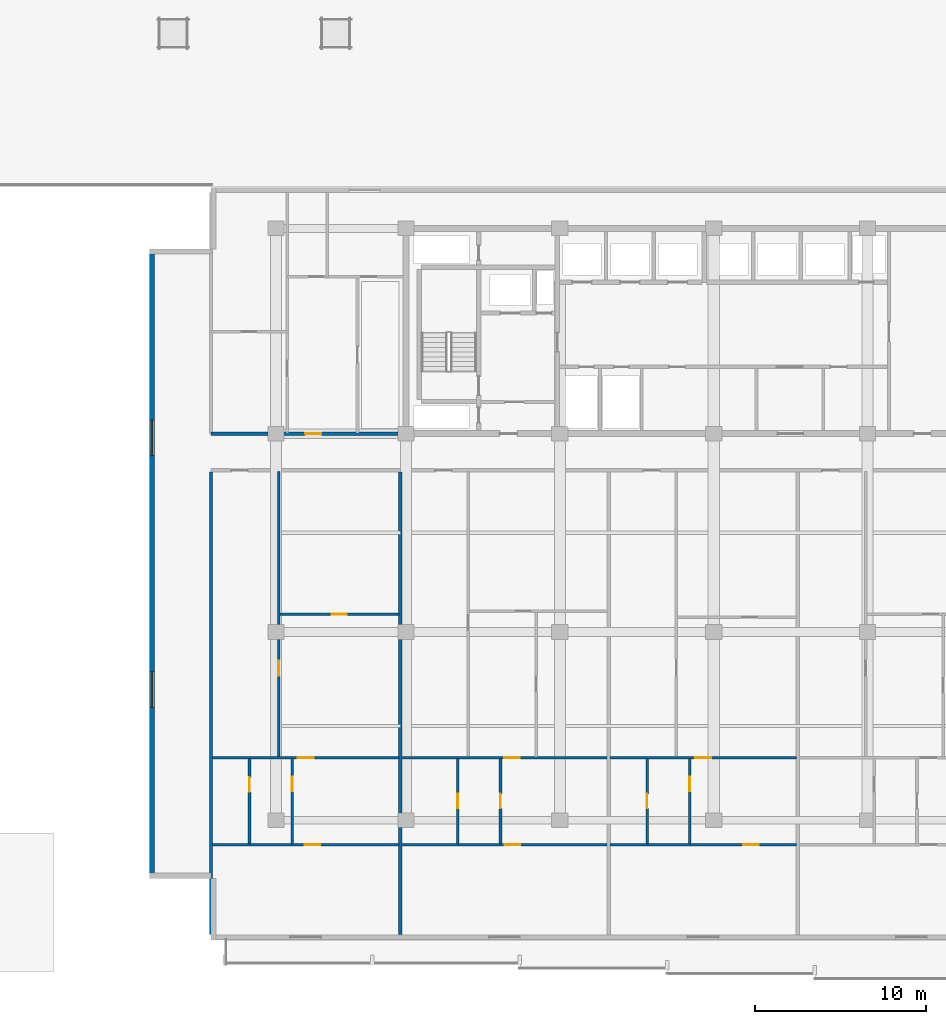
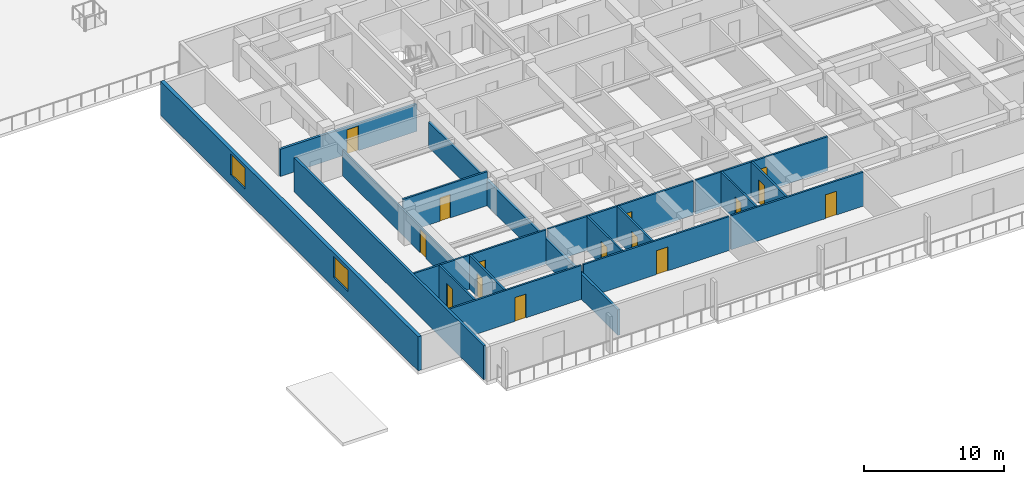
# One storey, part 4 of 24: 18 walls, 15 doors, 2 windows, 17 openings.
"""IFC4 building model written with IfcOpenShell, lengths in metres."""

from ifc_helpers import new_model, si_unit, direction, frame, frame_2d, origin, place, context, subcontext, project, spatial, rectangle, extrude, material, layer, layer_set, type_object, element, fill, save


model = new_model("IFC4")

# Units and contexts
model_context = context("Model", 3, precision=1e-05, world=origin(), true_north=direction((0.0, 1.0)))
body_context = subcontext(model_context, "Body", "Model", "MODEL_VIEW")
ifc_project = project(units=[si_unit("LENGTHUNIT", "METRE"), si_unit("AREAUNIT", "SQUARE_METRE"), si_unit("VOLUMEUNIT", "CUBIC_METRE"), si_unit("PLANEANGLEUNIT", "RADIAN"), si_unit("MASSUNIT", "GRAM", prefix="KILO")], contexts=[model_context])

# Site, building, storey
site_placement = place(None, origin())
site = spatial("IfcSite", under=ifc_project, at=site_placement, CompositionType="ELEMENT")
building_placement = place(site_placement, origin())
building = spatial("IfcBuilding", under=site, at=building_placement, Name="Korimba Cascade Residences", CompositionType="ELEMENT")
storey_placement = place(building_placement, frame((0.0, 0.0, 24.0)))
storey = spatial("IfcBuildingStorey", under=building, at=storey_placement, Name="L05", CompositionType="ELEMENT", Elevation=24.0)

# Wall, openings, windows
ifc_material_1 = material(Name="Precast concrete C40/50", Category="concrete")
ifc_layer_1 = layer(ifc_material_1, 0.300048828125)
ifc_layer_set_1 = layer_set([ifc_layer_1], Name="Precast concrete C40/50")
wall_type_1 = type_object("IfcWallType", Name="EW-STONE-300", PredefinedType="STANDARD", material=ifc_layer_set_1)
wall_1_placement = place(storey_placement, frame((67.25, 29.199951171875, 0.0), z_axis=(0.0, 0.0, 1.0), x_axis=(0.0, -1.0, 0.0)))
wall_1 = element("IfcWall", 1, at=wall_1_placement, inside=storey, type_object=wall_type_1, Name="L05 T2 Perimeter Stone Wall E09", PredefinedType="STANDARD", context=body_context, shape_type="SweptSolid", body=[
    extrude(rectangle(XDim=36.800048828125, YDim=0.300048828125, at=frame_2d((18.39990234375, 0.0))), origin(), (0.0, 0.0, 1.0), 2.969970703125),
])
opening_1_placement = place(wall_1_placement, frame((9.989990234375, 0.0, 0.85009765625)))
opening_1 = element("IfcOpeningElement", 2, at=opening_1_placement, cuts=wall_1, Name="Opening W-03", PredefinedType="OPENING", context=body_context, shape_type="SweptSolid", body=[
    extrude(rectangle(XDim=2.10009765625, YDim=1.85009765625, at=frame_2d((1.050048828125, 0.925048828125))), frame((0.0, 0.16015625, 0.0), z_axis=(0.0, -1.0, 0.0), x_axis=(1.0, 0.0, 0.0)), (0.0, 0.0, 1.0), 0.320068359375),
])
opening_2_placement = place(wall_1_placement, frame((24.7099609375, 0.0, 0.85009765625)))
opening_2 = element("IfcOpeningElement", 3, at=opening_2_placement, cuts=wall_1, Name="Opening W-03", PredefinedType="OPENING", context=body_context, shape_type="SweptSolid", body=[
    extrude(rectangle(XDim=2.10009765625, YDim=1.85009765625, at=frame_2d((1.050048828125, 0.925048828125))), frame((0.0, 0.16015625, 0.0), z_axis=(0.0, -1.0, 0.0), x_axis=(1.0, 0.0, 0.0)), (0.0, 0.0, 1.0), 0.320068359375),
])
ifc_material_2 = material(Name="Double-Glazed Aluminium Window", Category="aluminium")
window_type = type_object("IfcWindowType", Name="WIN-CRN-2100", PartitioningType="DOUBLE_PANEL_HORIZONTAL", PredefinedType="WINDOW", material=ifc_material_2)
window_1_placement = place(opening_1_placement, origin())
window_1 = element("IfcWindow", 4, at=window_1_placement, inside=storey, type_object=window_type, Name="L05 T2 End View Window 9.1", OverallHeight=1.85009765625, OverallWidth=2.10009765625, PartitioningType="DOUBLE_PANEL_HORIZONTAL", PredefinedType="WINDOW", context=body_context, shape_type="SweptSolid", body=[
    extrude(rectangle(XDim=2.10009765625, YDim=1.85009765625, at=frame_2d((1.050048828125, 0.925048828125))), frame((0.0, 0.030029296875, 0.0), z_axis=(0.0, -1.0, 0.0), x_axis=(1.0, 0.0, 0.0)), (0.0, 0.0, 1.0), 0.06005859375),
])
fill(opening_1, window_1)
window_2_placement = place(opening_2_placement, origin())
window_2 = element("IfcWindow", 5, at=window_2_placement, inside=storey, type_object=window_type, Name="L05 T2 End View Window 9.2", OverallHeight=1.85009765625, OverallWidth=2.10009765625, PartitioningType="DOUBLE_PANEL_HORIZONTAL", PredefinedType="WINDOW", context=body_context, shape_type="SweptSolid", body=[
    extrude(rectangle(XDim=2.10009765625, YDim=1.85009765625, at=frame_2d((1.050048828125, 0.925048828125))), frame((0.0, 0.030029296875, 0.0), z_axis=(0.0, -1.0, 0.0), x_axis=(1.0, 0.0, 0.0)), (0.0, 0.0, 1.0), 0.06005859375),
])
fill(opening_2, window_2)

# Wall, opening, door
ifc_layer_2 = layer(ifc_material_1, 0.199951171875)
ifc_layer_set_2 = layer_set([ifc_layer_2], Name="Precast concrete C40/50")
wall_type_2 = type_object("IfcWallType", Name="WAL-IT-200", PredefinedType="PARTITIONING", material=ifc_layer_set_2)
wall_2_placement = place(storey_placement, frame((70.699951171875, 18.39990234375, 0.0), z_axis=(0.0, 0.0, 1.0), x_axis=(1.0, 0.0, 0.0)))
wall_2 = element("IfcWall", 6, at=wall_2_placement, inside=storey, type_object=wall_type_2, Name="L05 Partition Wall WAL-L05-T2-FW-S", PredefinedType="PARTITIONING", context=body_context, shape_type="SweptSolid", body=[
    extrude(rectangle(XDim=11.25, YDim=0.199951171875, at=frame_2d((5.625, 0.0))), origin(), (0.0, 0.0, 1.0), 2.3701171875),
])
opening_3_placement = place(wall_2_placement, frame((5.50634765625, 0.0, 0.0)))
opening_3 = element("IfcOpeningElement", 7, at=opening_3_placement, cuts=wall_2, Name="Opening D-UN1", PredefinedType="OPENING", context=body_context, shape_type="SweptSolid", body=[
    extrude(rectangle(XDim=0.949951171875, YDim=2.14990234375, at=frame_2d((0.47509765625, 1.074951171875))), frame((0.0, 0.10986328125, 0.0), z_axis=(0.0, -1.0, 0.0), x_axis=(1.0, 0.0, 0.0)), (0.0, 0.0, 1.0), 0.219970703125),
])
ifc_material_3 = material(Name="Fire-Rated Hardwood Apartment Entrance Door", Category="wood")
door_type_1 = type_object("IfcDoorType", Name="DR-FD60-950", OperationType="NOTDEFINED", PredefinedType="DOOR", material=ifc_material_3)
door_1_placement = place(opening_3_placement, origin())
door_1 = element("IfcDoor", 8, at=door_1_placement, inside=storey, type_object=door_type_1, Name="L05-T2-FW Entrance Door", OperationType="SINGLE_SWING_LEFT", OverallHeight=2.14990234375, OverallWidth=0.949951171875, PredefinedType="DOOR", context=body_context, shape_type="SweptSolid", body=[
    extrude(rectangle(XDim=0.949951171875, YDim=2.14990234375, at=frame_2d((0.47509765625, 1.074951171875))), frame((0.0, 0.02490234375, 0.0), z_axis=(0.0, -1.0, 0.0), x_axis=(1.0, 0.0, 0.0)), (0.0, 0.0, 1.0), 0.050048828125),
])
fill(opening_3, door_1)

# Walls
wall_3_placement = place(storey_placement, frame((70.699951171875, -10.89990234375, 0.0), z_axis=(0.0, 0.0, 1.0), x_axis=(0.0, 1.0, 0.0)))
element("IfcWall", 9, at=wall_3_placement, inside=storey, type_object=wall_type_2, Name="L05 Partition Wall WAL-L05-T2-BNDWL", PredefinedType="PARTITIONING", context=body_context, shape_type="SweptSolid", body=[
    extrude(rectangle(XDim=27.06982421875, YDim=0.199951171875, at=frame_2d((13.534912109375, 0.0))), origin(), (0.0, 0.0, 1.0), 2.969970703125),
])
wall_4_placement = place(storey_placement, frame((81.771484375, -10.89990234375, 0.0), z_axis=(0.0, 0.0, 1.0), x_axis=(0.0, 1.0, 0.0)))
element("IfcWall", 10, at=wall_4_placement, inside=storey, type_object=wall_type_2, Name="L05 Partition Wall WAL-L05-T2-DEM-1", PredefinedType="PARTITIONING", context=body_context, shape_type="SweptSolid", body=[
    extrude(rectangle(XDim=27.06982421875, YDim=0.199951171875, at=frame_2d((13.534912109375, 0.0))), origin(), (0.0, 0.0, 1.0), 2.219970703125),
])

# Wall, opening, door
ifc_material_4 = material(Name="Insulated Acoustic Stud Partition", Category="gypsum")
ifc_layer_3 = layer(ifc_material_4, 0.14990234375)
ifc_layer_set_3 = layer_set([ifc_layer_3], Name="Insulated Acoustic Stud Partition")
wall_type_3 = type_object("IfcWallType", Name="WAL-PART-150", PredefinedType="PARTITIONING", material=ifc_layer_set_3)
wall_5_placement = place(storey_placement, frame((74.72998046875, 7.840087890625, 0.0), z_axis=(0.0, 0.0, 1.0), x_axis=(1.0, 0.0, 0.0)))
wall_5 = element("IfcWall", 11, at=wall_5_placement, inside=storey, type_object=wall_type_3, Name="L05 Partition Wall WAL-L05-T2-U01-FMH", PredefinedType="PARTITIONING", context=body_context, shape_type="SweptSolid", body=[
    extrude(rectangle(XDim=6.96142578125, YDim=0.14990234375, at=frame_2d((3.480712890625, 0.0))), origin(), (0.0, 0.0, 1.0), 2.969970703125),
])
opening_4_placement = place(wall_5_placement, frame((3.040771484375, 0.0, 0.0)))
opening_4 = element("IfcOpeningElement", 12, at=opening_4_placement, cuts=wall_5, Name="Opening D-IN2", PredefinedType="OPENING", context=body_context, shape_type="SweptSolid", body=[
    extrude(rectangle(XDim=0.8798828125, YDim=2.06005859375, at=frame_2d((0.43994140625, 1.030029296875))), frame((0.0, 0.0849609375, 0.0), z_axis=(0.0, -1.0, 0.0), x_axis=(1.0, 0.0, 0.0)), (0.0, 0.0, 1.0), 0.169921875),
])
ifc_material_5 = material(Name="Acoustic Timber Bedroom Door", Category="wood")
door_type_2 = type_object("IfcDoorType", Name="DR-INT-880", OperationType="NOTDEFINED", PredefinedType="DOOR", material=ifc_material_5)
door_2_placement = place(opening_4_placement, origin())
door_2 = element("IfcDoor", 13, at=door_2_placement, inside=storey, type_object=door_type_2, Name="L05-T2-U01 Library Salon Door", OperationType="SINGLE_SWING_RIGHT", OverallHeight=2.06005859375, OverallWidth=0.8798828125, PredefinedType="DOOR", context=body_context, shape_type="SweptSolid", body=[
    extrude(rectangle(XDim=0.8798828125, YDim=2.06005859375, at=frame_2d((0.43994140625, 1.030029296875))), frame((0.0, 0.02490234375, 0.0), z_axis=(0.0, -1.0, 0.0), x_axis=(1.0, 0.0, 0.0)), (0.0, 0.0, 1.0), 0.050048828125),
])
fill(opening_4, door_2)

wall_6_placement = place(storey_placement, frame((74.669921875, -0.510009765625, 0.0), z_axis=(0.0, 0.0, 1.0), x_axis=(0.0, 1.0, 0.0)))
wall_6 = element("IfcWall", 14, at=wall_6_placement, inside=storey, type_object=wall_type_3, Name="L05 Partition Wall WAL-L05-T2-U01-FV", PredefinedType="PARTITIONING", context=body_context, shape_type="SweptSolid", body=[
    extrude(rectangle(XDim=16.699951171875, YDim=0.14990234375, at=frame_2d((8.35009765625, 0.0))), origin(), (0.0, 0.0, 1.0), 2.219970703125),
])
opening_5_placement = place(wall_6_placement, frame((4.746826171875, 0.0, 0.0)))
opening_5 = element("IfcOpeningElement", 15, at=opening_5_placement, cuts=wall_6, Name="Opening D-IN2", PredefinedType="OPENING", context=body_context, shape_type="SweptSolid", body=[
    extrude(rectangle(XDim=0.8798828125, YDim=2.06005859375, at=frame_2d((0.43994140625, 1.030029296875))), frame((0.0, 0.0849609375, 0.0), z_axis=(0.0, -1.0, 0.0), x_axis=(1.0, 0.0, 0.0)), (0.0, 0.0, 1.0), 0.169921875),
])
door_3_placement = place(opening_5_placement, origin())
door_3 = element("IfcDoor", 16, at=door_3_placement, inside=storey, type_object=door_type_2, Name="L05-T2-U01 Media Lounge Door", OperationType="SINGLE_SWING_LEFT", OverallHeight=2.06005859375, OverallWidth=0.8798828125, PredefinedType="DOOR", context=body_context, shape_type="SweptSolid", body=[
    extrude(rectangle(XDim=0.8798828125, YDim=2.06005859375, at=frame_2d((0.43994140625, 1.030029296875))), frame((0.0, 0.02490234375, 0.0), z_axis=(0.0, -1.0, 0.0), x_axis=(1.0, 0.0, 0.0)), (0.0, 0.0, 1.0), 0.050048828125),
])
fill(opening_5, door_3)

wall_7_placement = place(storey_placement, frame((72.951416015625, -5.590087890625, 0.0), z_axis=(0.0, 0.0, 1.0), x_axis=(0.0, 1.0, 0.0)))
wall_7 = element("IfcWall", 17, at=wall_7_placement, inside=storey, type_object=wall_type_3, Name="L05 Partition Wall WAL-L05-T2-U01-CLS", PredefinedType="PARTITIONING", context=body_context, shape_type="SweptSolid", body=[
    extrude(rectangle(XDim=5.0, YDim=0.14990234375, at=frame_2d((2.5, 0.0))), origin(), (0.0, 0.0, 1.0), 2.969970703125),
])
opening_6_placement = place(wall_7_placement, frame((3.048828125, 0.0, 0.0)))
opening_6 = element("IfcOpeningElement", 18, at=opening_6_placement, cuts=wall_7, Name="Opening D-BT1", PredefinedType="OPENING", context=body_context, shape_type="SweptSolid", body=[
    extrude(rectangle(XDim=0.840087890625, YDim=2.0400390625, at=frame_2d((0.419921875, 1.02001953125))), frame((0.0, 0.0849609375, 0.0), z_axis=(0.0, -1.0, 0.0), x_axis=(1.0, 0.0, 0.0)), (0.0, 0.0, 1.0), 0.169921875),
])
ifc_material_6 = material(Name="Moisture-Resistant Bathroom Timber Door", Category="wood")
door_type_3 = type_object("IfcDoorType", Name="DR-INT-850", OperationType="NOTDEFINED", PredefinedType="DOOR", material=ifc_material_6)
door_4_placement = place(opening_6_placement, origin())
door_4 = element("IfcDoor", 19, at=door_4_placement, inside=storey, type_object=door_type_3, Name="L05-T2-U01 Closet Door", OperationType="SINGLE_SWING_RIGHT", OverallHeight=2.0400390625, OverallWidth=0.840087890625, PredefinedType="DOOR", context=body_context, shape_type="SweptSolid", body=[
    extrude(rectangle(XDim=0.840087890625, YDim=2.0400390625, at=frame_2d((0.419921875, 1.02001953125))), frame((0.0, 0.02490234375, 0.0), z_axis=(0.0, -1.0, 0.0), x_axis=(1.0, 0.0, 0.0)), (0.0, 0.0, 1.0), 0.050048828125),
])
fill(opening_6, door_4)

wall_8_placement = place(storey_placement, frame((75.451416015625, -5.590087890625, 0.0), z_axis=(0.0, 0.0, 1.0), x_axis=(0.0, 1.0, 0.0)))
wall_8 = element("IfcWall", 20, at=wall_8_placement, inside=storey, type_object=wall_type_3, Name="L05 Partition Wall WAL-L05-T2-U01-BM", PredefinedType="PARTITIONING", context=body_context, shape_type="SweptSolid", body=[
    extrude(rectangle(XDim=5.0, YDim=0.14990234375, at=frame_2d((2.5, 0.0))), origin(), (0.0, 0.0, 1.0), 2.969970703125),
])
opening_7_placement = place(wall_8_placement, frame((3.087890625, 0.0, 0.0)))
opening_7 = element("IfcOpeningElement", 21, at=opening_7_placement, cuts=wall_8, Name="Opening D-BT1", PredefinedType="OPENING", context=body_context, shape_type="SweptSolid", body=[
    extrude(rectangle(XDim=0.840087890625, YDim=2.0400390625, at=frame_2d((0.419921875, 1.02001953125))), frame((0.0, 0.0849609375, 0.0), z_axis=(0.0, -1.0, 0.0), x_axis=(1.0, 0.0, 0.0)), (0.0, 0.0, 1.0), 0.169921875),
])
door_5_placement = place(opening_7_placement, origin())
door_5 = element("IfcDoor", 22, at=door_5_placement, inside=storey, type_object=door_type_3, Name="L05-T2-U01 Bathroom Door", OperationType="SINGLE_SWING_LEFT", OverallHeight=2.0400390625, OverallWidth=0.840087890625, PredefinedType="DOOR", context=body_context, shape_type="SweptSolid", body=[
    extrude(rectangle(XDim=0.840087890625, YDim=2.0400390625, at=frame_2d((0.419921875, 1.02001953125))), frame((0.0, 0.02490234375, 0.0), z_axis=(0.0, -1.0, 0.0), x_axis=(1.0, 0.0, 0.0)), (0.0, 0.0, 1.0), 0.050048828125),
])
fill(opening_7, door_5)

wall_9_placement = place(storey_placement, frame((70.780029296875, -0.550048828125, 0.0), z_axis=(0.0, 0.0, 1.0), x_axis=(1.0, 0.0, 0.0)))
wall_9 = element("IfcWall", 23, at=wall_9_placement, inside=storey, type_object=wall_type_3, Name="L05 Partition Wall WAL-L05-T2-U01-MW", PredefinedType="PARTITIONING", context=body_context, shape_type="SweptSolid", body=[
    extrude(rectangle(XDim=10.911376953125, YDim=0.14990234375, at=frame_2d((5.45556640625, 0.0))), origin(), (0.0, 0.0, 1.0), 2.969970703125),
])
opening_8_placement = place(wall_9_placement, frame((4.99560546875, 0.0, 0.0)))
opening_8 = element("IfcOpeningElement", 24, at=opening_8_placement, cuts=wall_9, Name="Opening D-IN1", PredefinedType="OPENING", context=body_context, shape_type="SweptSolid", body=[
    extrude(rectangle(XDim=0.919921875, YDim=2.080078125, at=frame_2d((0.4599609375, 1.0400390625))), frame((0.0, 0.0849609375, 0.0), z_axis=(0.0, -1.0, 0.0), x_axis=(1.0, 0.0, 0.0)), (0.0, 0.0, 1.0), 0.169921875),
])
ifc_material_7 = material(Name="Acoustic Timber Living Door", Category="wood")
door_type_4 = type_object("IfcDoorType", Name="DR-INT-920", OperationType="NOTDEFINED", PredefinedType="DOOR", material=ifc_material_7)
door_6_placement = place(opening_8_placement, origin())
door_6 = element("IfcDoor", 25, at=door_6_placement, inside=storey, type_object=door_type_4, Name="L05-T2-U01 Studio Kitchen Door", OperationType="SINGLE_SWING_RIGHT", OverallHeight=2.080078125, OverallWidth=0.919921875, PredefinedType="DOOR", context=body_context, shape_type="SweptSolid", body=[
    extrude(rectangle(XDim=0.919921875, YDim=2.080078125, at=frame_2d((0.4599609375, 1.0400390625))), frame((0.0, 0.02490234375, 0.0), z_axis=(0.0, -1.0, 0.0), x_axis=(1.0, 0.0, 0.0)), (0.0, 0.0, 1.0), 0.050048828125),
])
fill(opening_8, door_6)

wall_10_placement = place(storey_placement, frame((70.780029296875, -5.64990234375, 0.0), z_axis=(0.0, 0.0, 1.0), x_axis=(1.0, 0.0, 0.0)))
wall_10 = element("IfcWall", 26, at=wall_10_placement, inside=storey, type_object=wall_type_3, Name="L05 Partition Wall WAL-L05-T2-U01-HZ", PredefinedType="PARTITIONING", context=body_context, shape_type="SweptSolid", body=[
    extrude(rectangle(XDim=10.911376953125, YDim=0.14990234375, at=frame_2d((5.45556640625, 0.0))), origin(), (0.0, 0.0, 1.0), 2.969970703125),
])
opening_9_placement = place(wall_10_placement, frame((5.3994140625, 0.0, 0.0)))
opening_9 = element("IfcOpeningElement", 27, at=opening_9_placement, cuts=wall_10, Name="Opening D-IN1", PredefinedType="OPENING", context=body_context, shape_type="SweptSolid", body=[
    extrude(rectangle(XDim=0.919921875, YDim=2.080078125, at=frame_2d((0.4599609375, 1.0400390625))), frame((0.0, 0.0849609375, 0.0), z_axis=(0.0, -1.0, 0.0), x_axis=(1.0, 0.0, 0.0)), (0.0, 0.0, 1.0), 0.169921875),
])
door_7_placement = place(opening_9_placement, origin())
door_7 = element("IfcDoor", 28, at=door_7_placement, inside=storey, type_object=door_type_4, Name="L05-T2-U01 Studio Door", OperationType="SINGLE_SWING_LEFT", OverallHeight=2.080078125, OverallWidth=0.919921875, PredefinedType="DOOR", context=body_context, shape_type="SweptSolid", body=[
    extrude(rectangle(XDim=0.919921875, YDim=2.080078125, at=frame_2d((0.4599609375, 1.0400390625))), frame((0.0, 0.02490234375, 0.0), z_axis=(0.0, -1.0, 0.0), x_axis=(1.0, 0.0, 0.0)), (0.0, 0.0, 1.0), 0.050048828125),
])
fill(opening_9, door_7)

wall_11_placement = place(storey_placement, frame((85.1298828125, -5.590087890625, 0.0), z_axis=(0.0, 0.0, 1.0), x_axis=(0.0, 1.0, 0.0)))
wall_11 = element("IfcWall", 29, at=wall_11_placement, inside=storey, type_object=wall_type_3, Name="L05 Partition Wall WAL-L05-T2-U02-CLS", PredefinedType="PARTITIONING", context=body_context, shape_type="SweptSolid", body=[
    extrude(rectangle(XDim=5.0, YDim=0.14990234375, at=frame_2d((2.5, 0.0))), origin(), (0.0, 0.0, 1.0), 2.969970703125),
])
opening_10_placement = place(wall_11_placement, frame((2.080078125, 0.0, 0.0)))
opening_10 = element("IfcOpeningElement", 30, at=opening_10_placement, cuts=wall_11, Name="Opening D-BT1", PredefinedType="OPENING", context=body_context, shape_type="SweptSolid", body=[
    extrude(rectangle(XDim=0.840087890625, YDim=2.0400390625, at=frame_2d((0.419921875, 1.02001953125))), frame((0.0, 0.0849609375, 0.0), z_axis=(0.0, -1.0, 0.0), x_axis=(1.0, 0.0, 0.0)), (0.0, 0.0, 1.0), 0.169921875),
])
door_8_placement = place(opening_10_placement, origin())
door_8 = element("IfcDoor", 31, at=door_8_placement, inside=storey, type_object=door_type_3, Name="L05-T2-U02 Closet Door", OperationType="SINGLE_SWING_LEFT", OverallHeight=2.0400390625, OverallWidth=0.840087890625, PredefinedType="DOOR", context=body_context, shape_type="SweptSolid", body=[
    extrude(rectangle(XDim=0.840087890625, YDim=2.0400390625, at=frame_2d((0.419921875, 1.02001953125))), frame((0.0, 0.02490234375, 0.0), z_axis=(0.0, -1.0, 0.0), x_axis=(1.0, 0.0, 0.0)), (0.0, 0.0, 1.0), 0.050048828125),
])
fill(opening_10, door_8)

wall_12_placement = place(storey_placement, frame((87.6298828125, -5.590087890625, 0.0), z_axis=(0.0, 0.0, 1.0), x_axis=(0.0, 1.0, 0.0)))
wall_12 = element("IfcWall", 32, at=wall_12_placement, inside=storey, type_object=wall_type_3, Name="L05 Partition Wall WAL-L05-T2-U02-BM", PredefinedType="PARTITIONING", context=body_context, shape_type="SweptSolid", body=[
    extrude(rectangle(XDim=5.0, YDim=0.14990234375, at=frame_2d((2.5, 0.0))), origin(), (0.0, 0.0, 1.0), 2.969970703125),
])
opening_11_placement = place(wall_12_placement, frame((2.080078125, 0.0, 0.0)))
opening_11 = element("IfcOpeningElement", 33, at=opening_11_placement, cuts=wall_12, Name="Opening D-BT1", PredefinedType="OPENING", context=body_context, shape_type="SweptSolid", body=[
    extrude(rectangle(XDim=0.840087890625, YDim=2.0400390625, at=frame_2d((0.419921875, 1.02001953125))), frame((0.0, 0.0849609375, 0.0), z_axis=(0.0, -1.0, 0.0), x_axis=(1.0, 0.0, 0.0)), (0.0, 0.0, 1.0), 0.169921875),
])
door_9_placement = place(opening_11_placement, origin())
door_9 = element("IfcDoor", 34, at=door_9_placement, inside=storey, type_object=door_type_3, Name="L05-T2-U02 Bathroom Door", OperationType="SINGLE_SWING_RIGHT", OverallHeight=2.0400390625, OverallWidth=0.840087890625, PredefinedType="DOOR", context=body_context, shape_type="SweptSolid", body=[
    extrude(rectangle(XDim=0.840087890625, YDim=2.0400390625, at=frame_2d((0.419921875, 1.02001953125))), frame((0.0, 0.02490234375, 0.0), z_axis=(0.0, -1.0, 0.0), x_axis=(1.0, 0.0, 0.0)), (0.0, 0.0, 1.0), 0.050048828125),
])
fill(opening_11, door_9)

wall_13_placement = place(storey_placement, frame((81.851318359375, -0.550048828125, 0.0), z_axis=(0.0, 0.0, 1.0), x_axis=(1.0, 0.0, 0.0)))
wall_13 = element("IfcWall", 35, at=wall_13_placement, inside=storey, type_object=wall_type_3, Name="L05 Partition Wall WAL-L05-T2-U02-MW", PredefinedType="PARTITIONING", context=body_context, shape_type="SweptSolid", body=[
    extrude(rectangle(XDim=12.018798828125, YDim=0.14990234375, at=frame_2d((6.00927734375, 0.0))), origin(), (0.0, 0.0, 1.0), 2.969970703125),
])
opening_12_placement = place(wall_13_placement, frame((5.99853515625, 0.0, 0.0)))
opening_12 = element("IfcOpeningElement", 36, at=opening_12_placement, cuts=wall_13, Name="Opening D-IN1", PredefinedType="OPENING", context=body_context, shape_type="SweptSolid", body=[
    extrude(rectangle(XDim=0.919921875, YDim=2.080078125, at=frame_2d((0.4599609375, 1.0400390625))), frame((0.0, 0.0849609375, 0.0), z_axis=(0.0, -1.0, 0.0), x_axis=(1.0, 0.0, 0.0)), (0.0, 0.0, 1.0), 0.169921875),
])
door_10_placement = place(opening_12_placement, origin())
door_10 = element("IfcDoor", 37, at=door_10_placement, inside=storey, type_object=door_type_4, Name="L05-T2-U02 Studio Kitchen Door", OperationType="SINGLE_SWING_LEFT", OverallHeight=2.080078125, OverallWidth=0.919921875, PredefinedType="DOOR", context=body_context, shape_type="SweptSolid", body=[
    extrude(rectangle(XDim=0.919921875, YDim=2.080078125, at=frame_2d((0.4599609375, 1.0400390625))), frame((0.0, 0.02490234375, 0.0), z_axis=(0.0, -1.0, 0.0), x_axis=(1.0, 0.0, 0.0)), (0.0, 0.0, 1.0), 0.050048828125),
])
fill(opening_12, door_10)

wall_14_placement = place(storey_placement, frame((81.851318359375, -5.64990234375, 0.0), z_axis=(0.0, 0.0, 1.0), x_axis=(1.0, 0.0, 0.0)))
wall_14 = element("IfcWall", 38, at=wall_14_placement, inside=storey, type_object=wall_type_3, Name="L05 Partition Wall WAL-L05-T2-U02-HZ", PredefinedType="PARTITIONING", context=body_context, shape_type="SweptSolid", body=[
    extrude(rectangle(XDim=12.018798828125, YDim=0.14990234375, at=frame_2d((6.00927734375, 0.0))), origin(), (0.0, 0.0, 1.0), 2.969970703125),
])
opening_13_placement = place(wall_14_placement, frame((6.028564453125, 0.0, 0.0)))
opening_13 = element("IfcOpeningElement", 39, at=opening_13_placement, cuts=wall_14, Name="Opening D-IN1", PredefinedType="OPENING", context=body_context, shape_type="SweptSolid", body=[
    extrude(rectangle(XDim=0.919921875, YDim=2.080078125, at=frame_2d((0.4599609375, 1.0400390625))), frame((0.0, 0.0849609375, 0.0), z_axis=(0.0, -1.0, 0.0), x_axis=(1.0, 0.0, 0.0)), (0.0, 0.0, 1.0), 0.169921875),
])
door_11_placement = place(opening_13_placement, origin())
door_11 = element("IfcDoor", 40, at=door_11_placement, inside=storey, type_object=door_type_4, Name="L05-T2-U02 Studio Door", OperationType="SINGLE_SWING_RIGHT", OverallHeight=2.080078125, OverallWidth=0.919921875, PredefinedType="DOOR", context=body_context, shape_type="SweptSolid", body=[
    extrude(rectangle(XDim=0.919921875, YDim=2.080078125, at=frame_2d((0.4599609375, 1.0400390625))), frame((0.0, 0.02490234375, 0.0), z_axis=(0.0, -1.0, 0.0), x_axis=(1.0, 0.0, 0.0)), (0.0, 0.0, 1.0), 0.050048828125),
])
fill(opening_13, door_11)

wall_15_placement = place(storey_placement, frame((96.201416015625, -5.590087890625, 0.0), z_axis=(0.0, 0.0, 1.0), x_axis=(0.0, 1.0, 0.0)))
wall_15 = element("IfcWall", 41, at=wall_15_placement, inside=storey, type_object=wall_type_3, Name="L05 Partition Wall WAL-L05-T2-U03-CLS", PredefinedType="PARTITIONING", context=body_context, shape_type="SweptSolid", body=[
    extrude(rectangle(XDim=5.0, YDim=0.14990234375, at=frame_2d((2.5, 0.0))), origin(), (0.0, 0.0, 1.0), 2.969970703125),
])
opening_14_placement = place(wall_15_placement, frame((2.080078125, 0.0, 0.0)))
opening_14 = element("IfcOpeningElement", 42, at=opening_14_placement, cuts=wall_15, Name="Opening D-BT1", PredefinedType="OPENING", context=body_context, shape_type="SweptSolid", body=[
    extrude(rectangle(XDim=0.840087890625, YDim=2.0400390625, at=frame_2d((0.419921875, 1.02001953125))), frame((0.0, 0.0849609375, 0.0), z_axis=(0.0, -1.0, 0.0), x_axis=(1.0, 0.0, 0.0)), (0.0, 0.0, 1.0), 0.169921875),
])
door_12_placement = place(opening_14_placement, origin())
door_12 = element("IfcDoor", 43, at=door_12_placement, inside=storey, type_object=door_type_3, Name="L05-T2-U03 Closet Door", OperationType="SINGLE_SWING_LEFT", OverallHeight=2.0400390625, OverallWidth=0.840087890625, PredefinedType="DOOR", context=body_context, shape_type="SweptSolid", body=[
    extrude(rectangle(XDim=0.840087890625, YDim=2.0400390625, at=frame_2d((0.419921875, 1.02001953125))), frame((0.0, 0.02490234375, 0.0), z_axis=(0.0, -1.0, 0.0), x_axis=(1.0, 0.0, 0.0)), (0.0, 0.0, 1.0), 0.050048828125),
])
fill(opening_14, door_12)

wall_16_placement = place(storey_placement, frame((98.701416015625, -5.590087890625, 0.0), z_axis=(0.0, 0.0, 1.0), x_axis=(0.0, 1.0, 0.0)))
wall_16 = element("IfcWall", 44, at=wall_16_placement, inside=storey, type_object=wall_type_3, Name="L05 Partition Wall WAL-L05-T2-U03-BM", PredefinedType="PARTITIONING", context=body_context, shape_type="SweptSolid", body=[
    extrude(rectangle(XDim=5.0, YDim=0.14990234375, at=frame_2d((2.5, 0.0))), origin(), (0.0, 0.0, 1.0), 2.969970703125),
])
opening_15_placement = place(wall_16_placement, frame((3.087890625, 0.0, 0.0)))
opening_15 = element("IfcOpeningElement", 45, at=opening_15_placement, cuts=wall_16, Name="Opening D-BT1", PredefinedType="OPENING", context=body_context, shape_type="SweptSolid", body=[
    extrude(rectangle(XDim=0.840087890625, YDim=2.0400390625, at=frame_2d((0.419921875, 1.02001953125))), frame((0.0, 0.0849609375, 0.0), z_axis=(0.0, -1.0, 0.0), x_axis=(1.0, 0.0, 0.0)), (0.0, 0.0, 1.0), 0.169921875),
])
door_13_placement = place(opening_15_placement, origin())
door_13 = element("IfcDoor", 46, at=door_13_placement, inside=storey, type_object=door_type_3, Name="L05-T2-U03 Bathroom Door", OperationType="SINGLE_SWING_RIGHT", OverallHeight=2.0400390625, OverallWidth=0.840087890625, PredefinedType="DOOR", context=body_context, shape_type="SweptSolid", body=[
    extrude(rectangle(XDim=0.840087890625, YDim=2.0400390625, at=frame_2d((0.419921875, 1.02001953125))), frame((0.0, 0.02490234375, 0.0), z_axis=(0.0, -1.0, 0.0), x_axis=(1.0, 0.0, 0.0)), (0.0, 0.0, 1.0), 0.050048828125),
])
fill(opening_15, door_13)

wall_17_placement = place(storey_placement, frame((94.030029296875, -0.550048828125, 0.0), z_axis=(0.0, 0.0, 1.0), x_axis=(1.0, 0.0, 0.0)))
wall_17 = element("IfcWall", 47, at=wall_17_placement, inside=storey, type_object=wall_type_3, Name="L05 Partition Wall WAL-L05-T2-U03-MW", PredefinedType="PARTITIONING", context=body_context, shape_type="SweptSolid", body=[
    extrude(rectangle(XDim=10.911376953125, YDim=0.14990234375, at=frame_2d((5.45556640625, 0.0))), origin(), (0.0, 0.0, 1.0), 2.969970703125),
])
opening_16_placement = place(wall_17_placement, frame((4.99560546875, 0.0, 0.0)))
opening_16 = element("IfcOpeningElement", 48, at=opening_16_placement, cuts=wall_17, Name="Opening D-IN1", PredefinedType="OPENING", context=body_context, shape_type="SweptSolid", body=[
    extrude(rectangle(XDim=0.919921875, YDim=2.080078125, at=frame_2d((0.4599609375, 1.0400390625))), frame((0.0, 0.0849609375, 0.0), z_axis=(0.0, -1.0, 0.0), x_axis=(1.0, 0.0, 0.0)), (0.0, 0.0, 1.0), 0.169921875),
])
door_14_placement = place(opening_16_placement, origin())
door_14 = element("IfcDoor", 49, at=door_14_placement, inside=storey, type_object=door_type_4, Name="L05-T2-U03 Studio Kitchen Door", OperationType="SINGLE_SWING_LEFT", OverallHeight=2.080078125, OverallWidth=0.919921875, PredefinedType="DOOR", context=body_context, shape_type="SweptSolid", body=[
    extrude(rectangle(XDim=0.919921875, YDim=2.080078125, at=frame_2d((0.4599609375, 1.0400390625))), frame((0.0, 0.02490234375, 0.0), z_axis=(0.0, -1.0, 0.0), x_axis=(1.0, 0.0, 0.0)), (0.0, 0.0, 1.0), 0.050048828125),
])
fill(opening_16, door_14)

wall_18_placement = place(storey_placement, frame((94.030029296875, -5.64990234375, 0.0), z_axis=(0.0, 0.0, 1.0), x_axis=(1.0, 0.0, 0.0)))
wall_18 = element("IfcWall", 50, at=wall_18_placement, inside=storey, type_object=wall_type_3, Name="L05 Partition Wall WAL-L05-T2-U03-HZ", PredefinedType="PARTITIONING", context=body_context, shape_type="SweptSolid", body=[
    extrude(rectangle(XDim=10.911376953125, YDim=0.14990234375, at=frame_2d((5.45556640625, 0.0))), origin(), (0.0, 0.0, 1.0), 2.969970703125),
])
opening_17_placement = place(wall_18_placement, frame((7.789306640625, 0.0, 0.0)))
opening_17 = element("IfcOpeningElement", 51, at=opening_17_placement, cuts=wall_18, Name="Opening D-IN1", PredefinedType="OPENING", context=body_context, shape_type="SweptSolid", body=[
    extrude(rectangle(XDim=0.919921875, YDim=2.080078125, at=frame_2d((0.4599609375, 1.0400390625))), frame((0.0, 0.0849609375, 0.0), z_axis=(0.0, -1.0, 0.0), x_axis=(1.0, 0.0, 0.0)), (0.0, 0.0, 1.0), 0.169921875),
])
door_15_placement = place(opening_17_placement, origin())
door_15 = element("IfcDoor", 52, at=door_15_placement, inside=storey, type_object=door_type_4, Name="L05-T2-U03 Studio Door", OperationType="SINGLE_SWING_RIGHT", OverallHeight=2.080078125, OverallWidth=0.919921875, PredefinedType="DOOR", context=body_context, shape_type="SweptSolid", body=[
    extrude(rectangle(XDim=0.919921875, YDim=2.080078125, at=frame_2d((0.4599609375, 1.0400390625))), frame((0.0, 0.02490234375, 0.0), z_axis=(0.0, -1.0, 0.0), x_axis=(1.0, 0.0, 0.0)), (0.0, 0.0, 1.0), 0.050048828125),
])
fill(opening_17, door_15)

save(model, "model.ifc")
